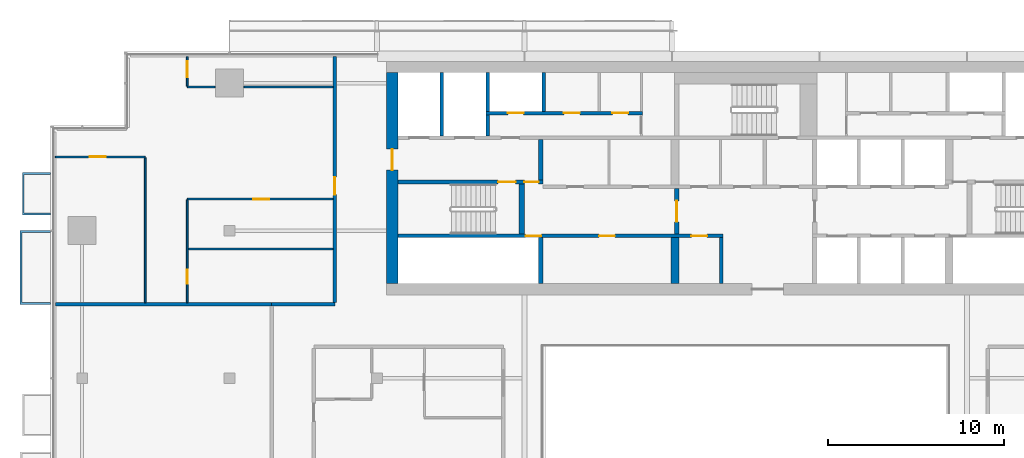
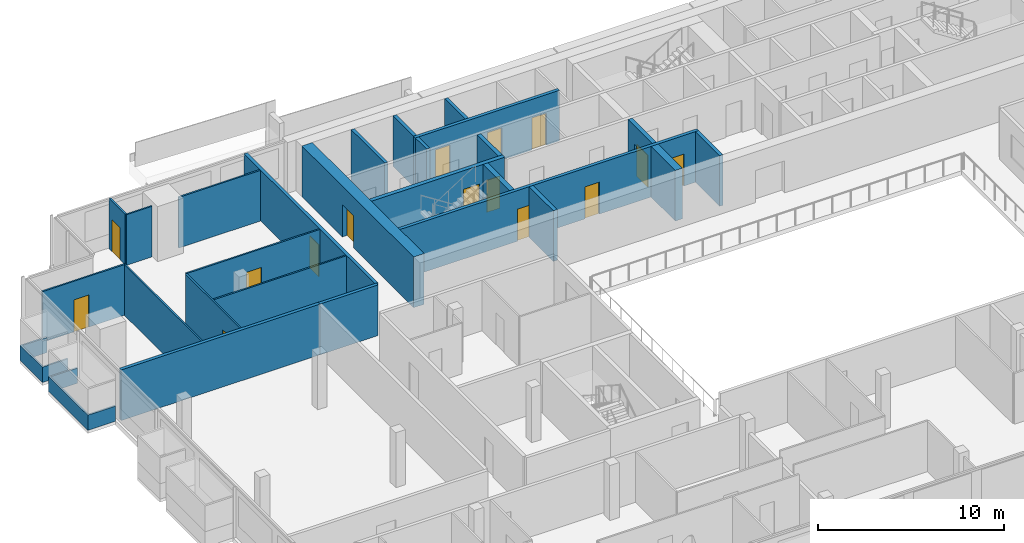
# One storey, part 20 of 27: 27 walls, 15 doors, 15 openings.
"""IFC4 building model written with IfcOpenShell, lengths in metres."""

from ifc_helpers import new_model, si_unit, direction, frame, frame_2d, origin, place, context, subcontext, project, spatial, polyline, rectangle, outline, extrude, material, layer, layer_set, type_object, element, fill, save


model = new_model("IFC4")

# Units and contexts
model_context = context("Model", 3, precision=1e-05, world=origin(), true_north=direction((0.0, 1.0)))
body_context = subcontext(model_context, "Body", "Model", "MODEL_VIEW")
ifc_project = project(units=[si_unit("LENGTHUNIT", "METRE"), si_unit("AREAUNIT", "SQUARE_METRE"), si_unit("VOLUMEUNIT", "CUBIC_METRE"), si_unit("PLANEANGLEUNIT", "RADIAN"), si_unit("MASSUNIT", "GRAM", prefix="KILO")], contexts=[model_context])

# Site, building, storey
site_placement = place(None, origin())
site = spatial("IfcSite", under=ifc_project, at=site_placement, CompositionType="ELEMENT")
building_placement = place(site_placement, origin())
building = spatial("IfcBuilding", under=site, at=building_placement, Name="Saffron Gate Tower", CompositionType="ELEMENT")
storey_placement = place(building_placement, frame((0.0, 0.0, 212.699951171875)))
storey = spatial("IfcBuildingStorey", under=building, at=storey_placement, Name="L51", CompositionType="ELEMENT", Elevation=212.699951171875)

# Walls
ifc_material_1 = material(Name="Gypsum board partition on steel studs", Category="steel")
ifc_layer_1 = layer(ifc_material_1, 0.199951171875)
ifc_layer_set_1 = layer_set([ifc_layer_1], Name="CW10 Core partition 200")
wall_type_1 = type_object("IfcWallType", Name="CW10 Core partition 200", PredefinedType="PARTITIONING", material=ifc_layer_set_1)
wall_1_placement = place(storey_placement, frame((86.199951171875, 62.39990234375, 0.0), z_axis=(0.0, 0.0, 1.0), x_axis=(0.0, 1.0, 0.0)))
element("IfcWall", 1, at=wall_1_placement, inside=storey, type_object=wall_type_1, Name="Wall CW10-L51-7", PredefinedType="PARTITIONING", context=body_context, shape_type="SweptSolid", body=[
    extrude(rectangle(XDim=2.60009765625, YDim=0.199951171875, at=frame_2d((1.300048828125, 0.0))), origin(), (0.0, 0.0, 1.0), 3.320068359375),
])
ifc_material_2 = material(Name="Concrete C60", Category="concrete")
ifc_layer_2 = layer(ifc_material_2, 0.25)
ifc_layer_set_2 = layer_set([ifc_layer_2], Name="CW14 RC core wall 250 C60")
wall_type_2 = type_object("IfcWallType", Name="CW14 RC core wall 250 C60", PredefinedType="SOLIDWALL", material=ifc_layer_set_2)
wall_2_placement = place(storey_placement, frame((75.925048828125, 62.39990234375, 0.0), z_axis=(0.0, 0.0, 1.0), x_axis=(0.0, 1.0, 0.0)))
element("IfcWall", 2, at=wall_2_placement, inside=storey, type_object=wall_type_2, Name="Wall CW14-L51-5", PredefinedType="SOLIDWALL", context=body_context, shape_type="SweptSolid", body=[
    extrude(rectangle(XDim=2.60009765625, YDim=0.25, at=frame_2d((1.300048828125, 0.0))), origin(), (0.0, 0.0, 1.0), 3.320068359375),
])

# Wall, opening, door
wall_3_placement = place(storey_placement, frame((83.675048828125, 65.199951171875, 0.0), z_axis=(0.0, 0.0, 1.0), x_axis=(0.0, 1.0, 0.0)))
wall_3 = element("IfcWall", 3, at=wall_3_placement, inside=storey, type_object=wall_type_2, Name="Wall CW14-L51-15", PredefinedType="SOLIDWALL", context=body_context, shape_type="SweptSolid", body=[
    extrude(rectangle(XDim=2.60009765625, YDim=0.25, at=frame_2d((1.300048828125, 0.0))), origin(), (0.0, 0.0, 1.0), 3.320068359375),
])
opening_1_placement = place(wall_3_placement, frame((0.699951171875, 0.0, 0.0)))
opening_1 = element("IfcOpeningElement", 4, at=opening_1_placement, cuts=wall_3, Name="Opening CR-07", PredefinedType="OPENING", context=body_context, shape_type="SweptSolid", body=[
    extrude(rectangle(XDim=1.199951171875, YDim=2.10009765625, at=frame_2d((0.60009765625, 1.050048828125))), frame((0.0, 0.135009765625, 0.0), z_axis=(0.0, -1.0, 0.0), x_axis=(1.0, 0.0, 0.0)), (0.0, 0.0, 1.0), 0.27001953125),
])
ifc_material_3 = material(Name="Steel fire door set", Category="steel")
door_type_1 = type_object("IfcDoorType", Name="CD3 Lobby door 1200x2100 EI 120", OperationType="NOTDEFINED", PredefinedType="DOOR", material=ifc_material_3)
door_1_placement = place(opening_1_placement, origin())
door_1 = element("IfcDoor", 5, at=door_1_placement, inside=storey, type_object=door_type_1, Name="DOOR CR-07", OperationType="SINGLE_SWING_RIGHT", OverallHeight=2.10009765625, OverallWidth=1.199951171875, PredefinedType="DOOR", context=body_context, shape_type="SweptSolid", body=[
    extrude(rectangle(XDim=1.199951171875, YDim=2.10009765625, at=frame_2d((0.60009765625, 1.050048828125))), frame((0.0, 0.02490234375, 0.0), z_axis=(0.0, -1.0, 0.0), x_axis=(1.0, 0.0, 0.0)), (0.0, 0.0, 1.0), 0.050048828125),
])
fill(opening_1, door_1)

# Wall, openings, doors
wall_4_placement = place(storey_placement, frame((67.800048828125, 68.175048828125, 0.0), z_axis=(0.0, 0.0, 1.0), x_axis=(1.0, 0.0, 0.0)))
wall_4 = element("IfcWall", 6, at=wall_4_placement, inside=storey, type_object=wall_type_2, Name="Wall CW14-L51-27", PredefinedType="SOLIDWALL", context=body_context, shape_type="SweptSolid", body=[
    extrude(rectangle(XDim=8.25, YDim=0.25, at=frame_2d((4.125, 0.0))), origin(), (0.0, 0.0, 1.0), 3.320068359375),
])
opening_2_placement = place(wall_4_placement, frame((5.699951171875, 0.0, 0.0)))
opening_2 = element("IfcOpeningElement", 7, at=opening_2_placement, cuts=wall_4, Name="Opening CR-15", PredefinedType="OPENING", context=body_context, shape_type="SweptSolid", body=[
    extrude(rectangle(XDim=1.0, YDim=2.10009765625, at=frame_2d((0.5, 1.050048828125))), frame((0.0, 0.135009765625, 0.0), z_axis=(0.0, -1.0, 0.0), x_axis=(1.0, 0.0, 0.0)), (0.0, 0.0, 1.0), 0.27001953125),
])
opening_3_placement = place(wall_4_placement, frame((7.199951171875, 0.0, 0.0)))
opening_3 = element("IfcOpeningElement", 8, at=opening_3_placement, cuts=wall_4, Name="Opening CR-06", PredefinedType="OPENING", context=body_context, shape_type="SweptSolid", body=[
    extrude(rectangle(XDim=0.800048828125, YDim=2.10009765625, at=frame_2d((0.39990234375, 1.050048828125))), frame((0.0, 0.135009765625, 0.0), z_axis=(0.0, -1.0, 0.0), x_axis=(1.0, 0.0, 0.0)), (0.0, 0.0, 1.0), 0.27001953125),
])
door_type_2 = type_object("IfcDoorType", Name="CD5 Stair door 1000x2100 EI 120", OperationType="NOTDEFINED", PredefinedType="DOOR", material=ifc_material_3)
door_2_placement = place(opening_2_placement, origin())
door_2 = element("IfcDoor", 9, at=door_2_placement, inside=storey, type_object=door_type_2, Name="DOOR CR-15", OperationType="SINGLE_SWING_RIGHT", OverallHeight=2.10009765625, OverallWidth=1.0, PredefinedType="DOOR", context=body_context, shape_type="SweptSolid", body=[
    extrude(rectangle(XDim=1.0, YDim=2.10009765625, at=frame_2d((0.5, 1.050048828125))), frame((0.0, 0.02490234375, 0.0), z_axis=(0.0, -1.0, 0.0), x_axis=(1.0, 0.0, 0.0)), (0.0, 0.0, 1.0), 0.050048828125),
])
fill(opening_2, door_2)
door_type_3 = type_object("IfcDoorType", Name="CD6 Lobby door 800x2100 EI 120", OperationType="NOTDEFINED", PredefinedType="DOOR", material=ifc_material_3)
door_3_placement = place(opening_3_placement, origin())
door_3 = element("IfcDoor", 10, at=door_3_placement, inside=storey, type_object=door_type_3, Name="DOOR CR-06", OperationType="SINGLE_SWING_LEFT", OverallHeight=2.10009765625, OverallWidth=0.800048828125, PredefinedType="DOOR", context=body_context, shape_type="SweptSolid", body=[
    extrude(rectangle(XDim=0.800048828125, YDim=2.10009765625, at=frame_2d((0.39990234375, 1.050048828125))), frame((0.0, 0.02490234375, 0.0), z_axis=(0.0, -1.0, 0.0), x_axis=(1.0, 0.0, 0.0)), (0.0, 0.0, 1.0), 0.050048828125),
])
fill(opening_3, door_3)

# Wall
wall_5_placement = place(storey_placement, frame((75.925048828125, 68.300048828125, 0.0), z_axis=(0.0, 0.0, 1.0), x_axis=(0.0, 1.0, 0.0)))
element("IfcWall", 11, at=wall_5_placement, inside=storey, type_object=wall_type_2, Name="Wall CW14-L51-29", PredefinedType="SOLIDWALL", context=body_context, shape_type="SweptSolid", body=[
    extrude(rectangle(XDim=2.300048828125, YDim=0.25, at=frame_2d((1.14990234375, 0.0))), origin(), (0.0, 0.0, 1.0), 3.320068359375),
])

# Wall, openings, doors
ifc_layer_3 = layer(ifc_material_2, 0.199951171875)
ifc_layer_set_3 = layer_set([ifc_layer_3], Name="CW15 RC core wall 200 C60")
wall_type_3 = type_object("IfcWallType", Name="CW15 RC core wall 200 C60", PredefinedType="SOLIDWALL", material=ifc_layer_set_3)
wall_6_placement = place(storey_placement, frame((67.800048828125, 65.10009765625, 0.0), z_axis=(0.0, 0.0, 1.0), x_axis=(1.0, 0.0, 0.0)))
wall_6 = element("IfcWall", 12, at=wall_6_placement, inside=storey, type_object=wall_type_3, Name="Wall CW15-L51-12", PredefinedType="SOLIDWALL", context=body_context, shape_type="SweptSolid", body=[
    extrude(rectangle(XDim=18.5, YDim=0.199951171875, at=frame_2d((9.25, 0.0))), origin(), (0.0, 0.0, 1.0), 3.320068359375),
])
opening_4_placement = place(wall_6_placement, frame((7.27001953125, 0.0, 0.0)))
opening_4 = element("IfcOpeningElement", 13, at=opening_4_placement, cuts=wall_6, Name="Opening CR-49", PredefinedType="OPENING", context=body_context, shape_type="SweptSolid", body=[
    extrude(rectangle(XDim=0.89990234375, YDim=2.10009765625, at=frame_2d((0.449951171875, 1.050048828125))), frame((0.0, 0.10986328125, 0.0), z_axis=(0.0, -1.0, 0.0), x_axis=(1.0, 0.0, 0.0)), (0.0, 0.0, 1.0), 0.219970703125),
])
opening_5_placement = place(wall_6_placement, frame((11.449951171875, 0.0, 0.0)))
opening_5 = element("IfcOpeningElement", 14, at=opening_5_placement, cuts=wall_6, Name="Opening CR-64", PredefinedType="OPENING", context=body_context, shape_type="SweptSolid", body=[
    extrude(rectangle(XDim=0.89990234375, YDim=2.10009765625, at=frame_2d((0.449951171875, 1.050048828125))), frame((0.0, 0.10986328125, 0.0), z_axis=(0.0, -1.0, 0.0), x_axis=(1.0, 0.0, 0.0)), (0.0, 0.0, 1.0), 0.219970703125),
])
opening_6_placement = place(wall_6_placement, frame((16.699951171875, 0.0, 0.0)))
opening_6 = element("IfcOpeningElement", 15, at=opening_6_placement, cuts=wall_6, Name="Opening CR-69", PredefinedType="OPENING", context=body_context, shape_type="SweptSolid", body=[
    extrude(rectangle(XDim=0.89990234375, YDim=2.10009765625, at=frame_2d((0.449951171875, 1.050048828125))), frame((0.0, 0.10986328125, 0.0), z_axis=(0.0, -1.0, 0.0), x_axis=(1.0, 0.0, 0.0)), (0.0, 0.0, 1.0), 0.219970703125),
])
door_type_4 = type_object("IfcDoorType", Name="CD2 Riser door 900x2100 EI 60", OperationType="NOTDEFINED", PredefinedType="DOOR", material=ifc_material_3)
door_4_placement = place(opening_4_placement, origin())
door_4 = element("IfcDoor", 16, at=door_4_placement, inside=storey, type_object=door_type_4, Name="DOOR CR-49", OperationType="SINGLE_SWING_LEFT", OverallHeight=2.10009765625, OverallWidth=0.89990234375, PredefinedType="DOOR", context=body_context, shape_type="SweptSolid", body=[
    extrude(rectangle(XDim=0.89990234375, YDim=2.10009765625, at=frame_2d((0.449951171875, 1.050048828125))), frame((0.0, 0.02490234375, 0.0), z_axis=(0.0, -1.0, 0.0), x_axis=(1.0, 0.0, 0.0)), (0.0, 0.0, 1.0), 0.050048828125),
])
fill(opening_4, door_4)
door_type_5 = type_object("IfcDoorType", Name="CD9 Room door 900x2100 EI 60", OperationType="NOTDEFINED", PredefinedType="DOOR", material=ifc_material_3)
door_5_placement = place(opening_5_placement, origin())
door_5 = element("IfcDoor", 17, at=door_5_placement, inside=storey, type_object=door_type_5, Name="DOOR CR-64", OperationType="SINGLE_SWING_RIGHT", OverallHeight=2.10009765625, OverallWidth=0.89990234375, PredefinedType="DOOR", context=body_context, shape_type="SweptSolid", body=[
    extrude(rectangle(XDim=0.89990234375, YDim=2.10009765625, at=frame_2d((0.449951171875, 1.050048828125))), frame((0.0, 0.02490234375, 0.0), z_axis=(0.0, -1.0, 0.0), x_axis=(1.0, 0.0, 0.0)), (0.0, 0.0, 1.0), 0.050048828125),
])
fill(opening_5, door_5)
door_6_placement = place(opening_6_placement, origin())
door_6 = element("IfcDoor", 18, at=door_6_placement, inside=storey, type_object=door_type_5, Name="DOOR CR-69", OperationType="SINGLE_SWING_RIGHT", OverallHeight=2.10009765625, OverallWidth=0.89990234375, PredefinedType="DOOR", context=body_context, shape_type="SweptSolid", body=[
    extrude(rectangle(XDim=0.89990234375, YDim=2.10009765625, at=frame_2d((0.449951171875, 1.050048828125))), frame((0.0, 0.02490234375, 0.0), z_axis=(0.0, -1.0, 0.0), x_axis=(1.0, 0.0, 0.0)), (0.0, 0.0, 1.0), 0.050048828125),
])
fill(opening_6, door_6)

# Walls
wall_7_placement = place(storey_placement, frame((70.300048828125, 70.800048828125, 0.0), z_axis=(0.0, 0.0, 1.0), x_axis=(0.0, 1.0, 0.0)))
element("IfcWall", 19, at=wall_7_placement, inside=storey, type_object=wall_type_3, Name="Wall CW15-L51-32", PredefinedType="SOLIDWALL", context=body_context, shape_type="SweptSolid", body=[
    extrude(rectangle(XDim=3.599853515625, YDim=0.199951171875, at=frame_2d((1.7998046875, 0.0))), origin(), (0.0, 0.0, 1.0), 3.320068359375),
])
wall_8_placement = place(storey_placement, frame((72.89990234375, 70.800048828125, 0.0), z_axis=(0.0, 0.0, 1.0), x_axis=(0.0, 1.0, 0.0)))
element("IfcWall", 20, at=wall_8_placement, inside=storey, type_object=wall_type_3, Name="Wall CW15-L51-33", PredefinedType="SOLIDWALL", context=body_context, shape_type="SweptSolid", body=[
    extrude(rectangle(XDim=1.199951171875, YDim=0.199951171875, at=frame_2d((0.60009765625, 0.0))), origin(), (0.0, 0.0, 1.0), 3.320068359375),
])

# Wall, openings, doors
wall_9_placement = place(storey_placement, frame((72.800048828125, 72.10009765625, 0.0), z_axis=(0.0, 0.0, 1.0), x_axis=(1.0, 0.0, 0.0)))
wall_9 = element("IfcWall", 21, at=wall_9_placement, inside=storey, type_object=wall_type_3, Name="Wall CW15-L51-40", PredefinedType="SOLIDWALL", context=body_context, shape_type="SweptSolid", body=[
    extrude(rectangle(XDim=8.919921875, YDim=0.199951171875, at=frame_2d((4.4599609375, 0.0))), origin(), (0.0, 0.0, 1.0), 3.320068359375),
])
opening_7_placement = place(wall_9_placement, frame((1.25, 0.0, 0.0)))
opening_7 = element("IfcOpeningElement", 22, at=opening_7_placement, cuts=wall_9, Name="Opening CR-71", PredefinedType="OPENING", context=body_context, shape_type="SweptSolid", body=[
    extrude(rectangle(XDim=0.89990234375, YDim=2.10009765625, at=frame_2d((0.449951171875, 1.050048828125))), frame((0.0, 0.10986328125, 0.0), z_axis=(0.0, -1.0, 0.0), x_axis=(1.0, 0.0, 0.0)), (0.0, 0.0, 1.0), 0.219970703125),
])
opening_8_placement = place(wall_9_placement, frame((4.449951171875, 0.0, 0.0)))
opening_8 = element("IfcOpeningElement", 23, at=opening_8_placement, cuts=wall_9, Name="Opening CR-55", PredefinedType="OPENING", context=body_context, shape_type="SweptSolid", body=[
    extrude(rectangle(XDim=0.89990234375, YDim=2.10009765625, at=frame_2d((0.449951171875, 1.050048828125))), frame((0.0, 0.10986328125, 0.0), z_axis=(0.0, -1.0, 0.0), x_axis=(1.0, 0.0, 0.0)), (0.0, 0.0, 1.0), 0.219970703125),
])
opening_9_placement = place(wall_9_placement, frame((7.2099609375, 0.0, 0.0)))
opening_9 = element("IfcOpeningElement", 24, at=opening_9_placement, cuts=wall_9, Name="Opening CR-58", PredefinedType="OPENING", context=body_context, shape_type="SweptSolid", body=[
    extrude(rectangle(XDim=0.89990234375, YDim=2.10009765625, at=frame_2d((0.449951171875, 1.050048828125))), frame((0.0, 0.10986328125, 0.0), z_axis=(0.0, -1.0, 0.0), x_axis=(1.0, 0.0, 0.0)), (0.0, 0.0, 1.0), 0.219970703125),
])
door_7_placement = place(opening_7_placement, origin())
door_7 = element("IfcDoor", 25, at=door_7_placement, inside=storey, type_object=door_type_4, Name="DOOR CR-71", OperationType="SINGLE_SWING_LEFT", OverallHeight=2.10009765625, OverallWidth=0.89990234375, PredefinedType="DOOR", context=body_context, shape_type="SweptSolid", body=[
    extrude(rectangle(XDim=0.89990234375, YDim=2.10009765625, at=frame_2d((0.449951171875, 1.050048828125))), frame((0.0, 0.02490234375, 0.0), z_axis=(0.0, -1.0, 0.0), x_axis=(1.0, 0.0, 0.0)), (0.0, 0.0, 1.0), 0.050048828125),
])
fill(opening_7, door_7)
door_8_placement = place(opening_8_placement, origin())
door_8 = element("IfcDoor", 26, at=door_8_placement, inside=storey, type_object=door_type_5, Name="DOOR CR-55", OperationType="SINGLE_SWING_LEFT", OverallHeight=2.10009765625, OverallWidth=0.89990234375, PredefinedType="DOOR", context=body_context, shape_type="SweptSolid", body=[
    extrude(rectangle(XDim=0.89990234375, YDim=2.10009765625, at=frame_2d((0.449951171875, 1.050048828125))), frame((0.0, 0.02490234375, 0.0), z_axis=(0.0, -1.0, 0.0), x_axis=(1.0, 0.0, 0.0)), (0.0, 0.0, 1.0), 0.050048828125),
])
fill(opening_8, door_8)
door_9_placement = place(opening_9_placement, origin())
door_9 = element("IfcDoor", 27, at=door_9_placement, inside=storey, type_object=door_type_5, Name="DOOR CR-58", OperationType="SINGLE_SWING_LEFT", OverallHeight=2.10009765625, OverallWidth=0.89990234375, PredefinedType="DOOR", context=body_context, shape_type="SweptSolid", body=[
    extrude(rectangle(XDim=0.89990234375, YDim=2.10009765625, at=frame_2d((0.449951171875, 1.050048828125))), frame((0.0, 0.02490234375, 0.0), z_axis=(0.0, -1.0, 0.0), x_axis=(1.0, 0.0, 0.0)), (0.0, 0.0, 1.0), 0.050048828125),
])
fill(opening_9, door_9)

# Walls
for number, where, z_axis, x_axis, name in (
    (28, (72.89990234375, 72.199951171875, 0.0), (0.0, 0.0, 1.0), (0.0, 1.0, 0.0), "Wall CW15-L51-42"),
    (29, (76.10009765625, 72.199951171875, 0.0), (0.0, 0.0, 1.0), (0.0, 1.0, 0.0), "Wall CW15-L51-43"),
):
    element("IfcWall", number, at=place(storey_placement, frame(where, z_axis=z_axis, x_axis=x_axis)), inside=storey, type_object=wall_type_3, Name=name, PredefinedType="SOLIDWALL", context=body_context, shape_type="SweptSolid", body=[
        extrude(rectangle(XDim=2.199951171875, YDim=0.199951171875, at=frame_2d((1.10009765625, 0.0))), origin(), (0.0, 0.0, 1.0), 3.320068359375),
    ])
ifc_layer_4 = layer(ifc_material_2, 0.449951171875)
ifc_layer_set_4 = layer_set([ifc_layer_4], Name="CW16 RC core wall 450 C60")
wall_type_4 = type_object("IfcWallType", Name="CW16 RC core wall 450 C60", PredefinedType="SOLIDWALL", material=ifc_layer_set_4)
wall_10_placement = place(storey_placement, frame((83.574951171875, 62.39990234375, 0.0), z_axis=(0.0, 0.0, 1.0), x_axis=(0.0, 1.0, 0.0)))
element("IfcWall", 30, at=wall_10_placement, inside=storey, type_object=wall_type_4, Name="Wall CW16-L51-6", PredefinedType="SOLIDWALL", context=body_context, shape_type="SweptSolid", body=[
    extrude(rectangle(XDim=2.60009765625, YDim=0.449951171875, at=frame_2d((1.300048828125, 0.0))), origin(), (0.0, 0.0, 1.0), 3.320068359375),
])
ifc_layer_5 = layer(ifc_material_2, 0.300048828125)
ifc_layer_set_5 = layer_set([ifc_layer_5], Name="CW17 RC core wall 300 C60")
wall_type_5 = type_object("IfcWallType", Name="CW17 RC core wall 300 C60", PredefinedType="SOLIDWALL", material=ifc_layer_set_5)
wall_11_placement = place(storey_placement, frame((74.85009765625, 65.199951171875, 0.0), z_axis=(0.0, 0.0, 1.0), x_axis=(0.0, 1.0, 0.0)))
element("IfcWall", 31, at=wall_11_placement, inside=storey, type_object=wall_type_5, Name="Wall CW17-L51-14", PredefinedType="SOLIDWALL", context=body_context, shape_type="SweptSolid", body=[
    extrude(rectangle(XDim=2.85009765625, YDim=0.300048828125, at=frame_2d((1.425048828125, 0.0))), origin(), (0.0, 0.0, 1.0), 3.320068359375),
])

# Wall, opening, door
ifc_layer_6 = layer(ifc_material_2, 0.64990234375)
ifc_layer_set_6 = layer_set([ifc_layer_6], Name="CW20 RC core wall 650 C60")
wall_type_6 = type_object("IfcWallType", Name="CW20 RC core wall 650 C60", PredefinedType="SOLIDWALL", material=ifc_layer_set_6)
wall_12_placement = place(storey_placement, frame((67.47509765625, 62.39990234375, 0.0), z_axis=(0.0, 0.0, 1.0), x_axis=(0.0, 1.0, 0.0)))
wall_12 = element("IfcWall", 32, at=wall_12_placement, inside=storey, type_object=wall_type_6, Name="Wall CW20-L51-3", PredefinedType="SOLIDWALL", context=body_context, shape_type="SweptSolid", body=[
    extrude(rectangle(XDim=12.0, YDim=0.64990234375, at=frame_2d((6.0, 0.0))), origin(), (0.0, 0.0, 1.0), 3.320068359375),
])
opening_10_placement = place(wall_12_placement, frame((6.449951171875, 0.0, 0.0)))
opening_10 = element("IfcOpeningElement", 33, at=opening_10_placement, cuts=wall_12, Name="Opening CR-10", PredefinedType="OPENING", context=body_context, shape_type="SweptSolid", body=[
    extrude(rectangle(XDim=1.199951171875, YDim=2.10009765625, at=frame_2d((0.60009765625, 1.050048828125))), frame((0.0, 0.3349609375, 0.0), z_axis=(0.0, -1.0, 0.0), x_axis=(1.0, 0.0, 0.0)), (0.0, 0.0, 1.0), 0.669921875),
])
door_type_6 = type_object("IfcDoorType", Name="CD7 Core entrance door 1200x2100 EI 120", OperationType="NOTDEFINED", PredefinedType="DOOR", material=ifc_material_3)
door_10_placement = place(opening_10_placement, origin())
door_10 = element("IfcDoor", 34, at=door_10_placement, inside=storey, type_object=door_type_6, Name="DOOR CR-10", OperationType="SINGLE_SWING_LEFT", OverallHeight=2.10009765625, OverallWidth=1.199951171875, PredefinedType="DOOR", context=body_context, shape_type="SweptSolid", body=[
    extrude(rectangle(XDim=1.199951171875, YDim=2.10009765625, at=frame_2d((0.60009765625, 1.050048828125))), frame((0.0, 0.02490234375, 0.0), z_axis=(0.0, -1.0, 0.0), x_axis=(1.0, 0.0, 0.0)), (0.0, 0.0, 1.0), 0.050048828125),
])
fill(opening_10, door_10)

# Wall
ifc_material_4 = material(Name="Plasterboard on steel studs", Category="steel")
ifc_layer_7 = layer(ifc_material_4, 0.10009765625)
ifc_layer_set_7 = layer_set([ifc_layer_7], Name="PW1 Partition 100")
wall_type_7 = type_object("IfcWallType", Name="PW1 Partition 100", PredefinedType="PARTITIONING", material=ifc_layer_set_7)
wall_13_placement = place(storey_placement, frame((55.85009765625, 64.354736328125, 0.0), z_axis=(0.0, 0.0, 1.0), x_axis=(1.0, 0.0, 0.0)))
element("IfcWall", 35, at=wall_13_placement, inside=storey, type_object=wall_type_7, Name="Partition D1-33", PredefinedType="PARTITIONING", context=body_context, shape_type="SweptSolid", body=[
    extrude(rectangle(XDim=8.25, YDim=0.10009765625, at=frame_2d((4.125, 0.0))), origin(), (0.0, 0.0, 1.0), 3.320068359375),
])

# Wall, opening, door
wall_14_placement = place(storey_placement, frame((64.10009765625, 67.199951171875, 0.0), z_axis=(0.0, 0.0, 1.0), x_axis=(-1.0, 0.0, 0.0)))
wall_14 = element("IfcWall", 36, at=wall_14_placement, inside=storey, type_object=wall_type_7, Name="Partition D1-36", PredefinedType="PARTITIONING", context=body_context, shape_type="SweptSolid", body=[
    extrude(rectangle(XDim=8.300048828125, YDim=0.10009765625, at=frame_2d((4.14990234375, 0.0))), origin(), (0.0, 0.0, 1.0), 3.320068359375),
])
opening_11_placement = place(wall_14_placement, frame((3.64990234375, 0.0, 0.0)))
opening_11 = element("IfcOpeningElement", 37, at=opening_11_placement, cuts=wall_14, Name="Opening D1-26", PredefinedType="OPENING", context=body_context, shape_type="SweptSolid", body=[
    extrude(rectangle(XDim=0.89990234375, YDim=2.10009765625, at=frame_2d((0.449951171875, 1.050048828125))), frame((0.0, 0.06005859375, 0.0), z_axis=(0.0, -1.0, 0.0), x_axis=(1.0, 0.0, 0.0)), (0.0, 0.0, 1.0), 0.1201171875),
])
ifc_material_5 = material(Name="Timber door set", Category="wood")
door_type_7 = type_object("IfcDoorType", Name="RD1 Room door 900x2100", OperationType="NOTDEFINED", PredefinedType="DOOR", material=ifc_material_5)
door_11_placement = place(opening_11_placement, origin())
door_11 = element("IfcDoor", 38, at=door_11_placement, inside=storey, type_object=door_type_7, Name="Door D1-26", OperationType="SINGLE_SWING_LEFT", OverallHeight=2.10009765625, OverallWidth=0.89990234375, PredefinedType="DOOR", context=body_context, shape_type="SweptSolid", body=[
    extrude(rectangle(XDim=0.89990234375, YDim=2.10009765625, at=frame_2d((0.449951171875, 1.050048828125))), frame((0.0, 0.02490234375, 0.0), z_axis=(0.0, -1.0, 0.0), x_axis=(1.0, 0.0, 0.0)), (0.0, 0.0, 1.0), 0.050048828125),
])
fill(opening_11, door_11)

wall_15_placement = place(storey_placement, frame((53.39990234375, 69.60009765625, 0.0), z_axis=(0.0, 0.0, 1.0), x_axis=(-1.0, 0.0, 0.0)))
wall_15 = element("IfcWall", 39, at=wall_15_placement, inside=storey, type_object=wall_type_7, Name="Partition D1-38", PredefinedType="PARTITIONING", context=body_context, shape_type="SweptSolid", body=[
    extrude(rectangle(XDim=5.119873046875, YDim=0.10009765625, at=frame_2d((2.56005859375, 0.0))), origin(), (0.0, 0.0, 1.0), 3.320068359375),
])
opening_12_placement = place(wall_15_placement, frame((2.25, 0.0, 0.0)))
opening_12 = element("IfcOpeningElement", 40, at=opening_12_placement, cuts=wall_15, Name="Opening D1-24", PredefinedType="OPENING", context=body_context, shape_type="SweptSolid", body=[
    extrude(rectangle(XDim=0.89990234375, YDim=2.10009765625, at=frame_2d((0.449951171875, 1.050048828125))), frame((0.0, 0.06005859375, 0.0), z_axis=(0.0, -1.0, 0.0), x_axis=(1.0, 0.0, 0.0)), (0.0, 0.0, 1.0), 0.1201171875),
])
door_12_placement = place(opening_12_placement, origin())
door_12 = element("IfcDoor", 41, at=door_12_placement, inside=storey, type_object=door_type_7, Name="Door D1-24", OperationType="SINGLE_SWING_RIGHT", OverallHeight=2.10009765625, OverallWidth=0.89990234375, PredefinedType="DOOR", context=body_context, shape_type="SweptSolid", body=[
    extrude(rectangle(XDim=0.89990234375, YDim=2.10009765625, at=frame_2d((0.449951171875, 1.050048828125))), frame((0.0, 0.02490234375, 0.0), z_axis=(0.0, -1.0, 0.0), x_axis=(1.0, 0.0, 0.0)), (0.0, 0.0, 1.0), 0.050048828125),
])
fill(opening_12, door_12)

# Walls
wall_16_placement = place(storey_placement, frame((55.800048828125, 73.5810546875, 0.0), z_axis=(0.0, 0.0, 1.0), x_axis=(1.0, 0.0, 0.0)))
element("IfcWall", 42, at=wall_16_placement, inside=storey, type_object=wall_type_7, Name="Partition D1-41", PredefinedType="PARTITIONING", context=body_context, shape_type="SweptSolid", body=[
    extrude(rectangle(XDim=1.579833984375, YDim=0.10009765625, at=frame_2d((0.7900390625, 0.0))), origin(), (0.0, 0.0, 1.0), 3.320068359375),
])
wall_17_placement = place(storey_placement, frame((59.02001953125, 73.5810546875, 0.0), z_axis=(0.0, 0.0, 1.0), x_axis=(1.0, 0.0, 0.0)))
element("IfcWall", 43, at=wall_17_placement, inside=storey, type_object=wall_type_7, Name="Partition D1-42", PredefinedType="PARTITIONING", context=body_context, shape_type="SweptSolid", body=[
    extrude(rectangle(XDim=5.080078125, YDim=0.10009765625, at=frame_2d((2.5400390625, 0.0))), origin(), (0.0, 0.0, 1.0), 3.320068359375),
])
wall_18_placement = place(storey_placement, frame((53.39990234375, 69.550048828125, 0.0), z_axis=(0.0, 0.0, 1.0), x_axis=(0.0, -1.0, 0.0)))
element("IfcWall", 44, at=wall_18_placement, inside=storey, type_object=wall_type_7, Name="Partition D1-46", PredefinedType="PARTITIONING", context=body_context, shape_type="SweptSolid", body=[
    extrude(rectangle(XDim=8.25, YDim=0.10009765625, at=frame_2d((4.125, 0.0))), origin(), (0.0, 0.0, 1.0), 3.320068359375),
])

# Wall, opening, door
wall_19_placement = place(storey_placement, frame((55.800048828125, 67.14990234375, 0.0), z_axis=(0.0, 0.0, 1.0), x_axis=(0.0, -1.0, 0.0)))
wall_19 = element("IfcWall", 45, at=wall_19_placement, inside=storey, type_object=wall_type_7, Name="Partition D1-48", PredefinedType="PARTITIONING", context=body_context, shape_type="SweptSolid", body=[
    extrude(rectangle(XDim=5.849853515625, YDim=0.10009765625, at=frame_2d((2.9248046875, 0.0))), origin(), (0.0, 0.0, 1.0), 3.320068359375),
])
opening_13_placement = place(wall_19_placement, frame((3.97265625, 0.0, 0.0)))
opening_13 = element("IfcOpeningElement", 46, at=opening_13_placement, cuts=wall_19, Name="Opening D1-38", PredefinedType="OPENING", context=body_context, shape_type="SweptSolid", body=[
    extrude(rectangle(XDim=0.800048828125, YDim=2.10009765625, at=frame_2d((0.39990234375, 1.050048828125))), frame((0.0, 0.06005859375, 0.0), z_axis=(0.0, -1.0, 0.0), x_axis=(1.0, 0.0, 0.0)), (0.0, 0.0, 1.0), 0.1201171875),
])
door_type_8 = type_object("IfcDoorType", Name="RD2 Bathroom door 800x2100", OperationType="NOTDEFINED", PredefinedType="DOOR", material=ifc_material_5)
door_13_placement = place(opening_13_placement, origin())
door_13 = element("IfcDoor", 47, at=door_13_placement, inside=storey, type_object=door_type_8, Name="Door D1-38", OperationType="SINGLE_SWING_RIGHT", OverallHeight=2.10009765625, OverallWidth=0.800048828125, PredefinedType="DOOR", context=body_context, shape_type="SweptSolid", body=[
    extrude(rectangle(XDim=0.800048828125, YDim=2.10009765625, at=frame_2d((0.39990234375, 1.050048828125))), frame((0.0, 0.02490234375, 0.0), z_axis=(0.0, -1.0, 0.0), x_axis=(1.0, 0.0, 0.0)), (0.0, 0.0, 1.0), 0.050048828125),
])
fill(opening_13, door_13)

wall_20_placement = place(storey_placement, frame((55.800048828125, 75.320068359375, 0.0), z_axis=(0.0, 0.0, 1.0), x_axis=(0.0, -1.0, 0.0)))
wall_20 = element("IfcWall", 48, at=wall_20_placement, inside=storey, type_object=wall_type_7, Name="Partition D1-49", PredefinedType="PARTITIONING", context=body_context, shape_type="SweptSolid", body=[
    extrude(rectangle(XDim=1.68896484375, YDim=0.10009765625, at=frame_2d((0.844482421875, 0.0))), origin(), (0.0, 0.0, 1.0), 3.320068359375),
])
opening_14_placement = place(wall_20_placement, frame((0.279541015625, 0.0, 0.0)))
opening_14 = element("IfcOpeningElement", 49, at=opening_14_placement, cuts=wall_20, Name="Opening D1-25", PredefinedType="OPENING", context=body_context, shape_type="SweptSolid", body=[
    extrude(rectangle(XDim=0.89990234375, YDim=2.10009765625, at=frame_2d((0.449951171875, 1.050048828125))), frame((0.0, 0.06005859375, 0.0), z_axis=(0.0, -1.0, 0.0), x_axis=(1.0, 0.0, 0.0)), (0.0, 0.0, 1.0), 0.1201171875),
])
door_14_placement = place(opening_14_placement, origin())
door_14 = element("IfcDoor", 50, at=door_14_placement, inside=storey, type_object=door_type_7, Name="Door D1-25", OperationType="SINGLE_SWING_LEFT", OverallHeight=2.10009765625, OverallWidth=0.89990234375, PredefinedType="DOOR", context=body_context, shape_type="SweptSolid", body=[
    extrude(rectangle(XDim=0.89990234375, YDim=2.10009765625, at=frame_2d((0.449951171875, 1.050048828125))), frame((0.0, 0.02490234375, 0.0), z_axis=(0.0, -1.0, 0.0), x_axis=(1.0, 0.0, 0.0)), (0.0, 0.0, 1.0), 0.050048828125),
])
fill(opening_14, door_14)

# Wall
ifc_material_6 = material(Name="Clay brick masonry, rendered", Category="masonry")
ifc_layer_8 = layer(ifc_material_6, 0.199951171875)
ifc_layer_set_8 = layer_set([ifc_layer_8], Name="PW3 Corridor wall 200")
wall_type_8 = type_object("IfcWallType", Name="PW3 Corridor wall 200", PredefinedType="PARTITIONING", material=ifc_layer_set_8)
wall_21_placement = place(storey_placement, frame((60.60009765625, 61.199951171875, 0.0), z_axis=(0.0, 0.0, 1.0), x_axis=(1.0, 0.0, 0.0)))
element("IfcWall", 51, at=wall_21_placement, inside=storey, type_object=wall_type_8, Name="Wall D1-29", PredefinedType="PARTITIONING", context=body_context, shape_type="SweptSolid", body=[
    extrude(rectangle(XDim=3.599853515625, YDim=0.199951171875, at=frame_2d((1.7998046875, 0.0))), origin(), (0.0, 0.0, 1.0), 3.320068359375),
])

# Wall, opening, door
wall_22_placement = place(storey_placement, frame((64.199951171875, 61.300048828125, 0.0), z_axis=(0.0, 0.0, 1.0), x_axis=(0.0, 1.0, 0.0)))
wall_22 = element("IfcWall", 52, at=wall_22_placement, inside=storey, type_object=wall_type_8, Name="Wall D1-57", PredefinedType="PARTITIONING", context=body_context, shape_type="SweptSolid", body=[
    extrude(rectangle(XDim=14.02001953125, YDim=0.199951171875, at=frame_2d((7.010009765625, 0.0))), origin(), (0.0, 0.0, 1.0), 3.320068359375),
])
opening_15_placement = place(wall_22_placement, frame((6.14990234375, 0.0, 0.0)))
opening_15 = element("IfcOpeningElement", 53, at=opening_15_placement, cuts=wall_22, Name="Opening D1-5", PredefinedType="OPENING", context=body_context, shape_type="SweptSolid", body=[
    extrude(rectangle(XDim=1.0, YDim=2.10009765625, at=frame_2d((0.5, 1.050048828125))), frame((0.0, 0.10986328125, 0.0), z_axis=(0.0, -1.0, 0.0), x_axis=(1.0, 0.0, 0.0)), (0.0, 0.0, 1.0), 0.219970703125),
])
ifc_material_7 = material(Name="Timber fire door set", Category="wood")
door_type_9 = type_object("IfcDoorType", Name="FD1 Flat entry door 1000x2100", OperationType="NOTDEFINED", PredefinedType="DOOR", material=ifc_material_7)
door_15_placement = place(opening_15_placement, origin())
door_15 = element("IfcDoor", 54, at=door_15_placement, inside=storey, type_object=door_type_9, Name="Door D1-5", OperationType="SINGLE_SWING_LEFT", OverallHeight=2.10009765625, OverallWidth=1.0, PredefinedType="DOOR", context=body_context, shape_type="SweptSolid", body=[
    extrude(rectangle(XDim=1.0, YDim=2.10009765625, at=frame_2d((0.5, 1.050048828125))), frame((0.0, 0.02490234375, 0.0), z_axis=(0.0, -1.0, 0.0), x_axis=(1.0, 0.0, 0.0)), (0.0, 0.0, 1.0), 0.050048828125),
])
fill(opening_15, door_15)

# Walls
ifc_layer_9 = layer(ifc_material_6, 0.199951171875)
ifc_layer_set_9 = layer_set([ifc_layer_9], Name="PW5 Room wall 200")
wall_type_9 = type_object("IfcWallType", Name="PW5 Room wall 200", PredefinedType="PARTITIONING", material=ifc_layer_set_9)
wall_23_placement = place(storey_placement, frame((48.280029296875, 61.199951171875, 0.0), z_axis=(0.0, 0.0, 1.0), x_axis=(1.0, 0.0, 0.0)))
element("IfcWall", 55, at=wall_23_placement, inside=storey, type_object=wall_type_9, Name="Wall D1-31", PredefinedType="PARTITIONING", context=body_context, shape_type="SweptSolid", body=[
    extrude(rectangle(XDim=12.320068359375, YDim=0.199951171875, at=frame_2d((6.16015625, 0.0))), origin(), (0.0, 0.0, 1.0), 3.320068359375),
])
ifc_material_8 = material(Name="Rendered insulated panel, white")
ifc_layer_10 = layer(ifc_material_8, 0.10009765625)
ifc_layer_set_10 = layer_set([ifc_layer_10], Name="WB3 box parapet white")
wall_type_10 = type_object("IfcWallType", Name="WB3 box parapet white", PredefinedType="SOLIDWALL", material=ifc_layer_set_10)
wall_24_placement = place(storey_placement, origin())
element("IfcWall", 56, at=wall_24_placement, inside=storey, type_object=wall_type_10, Name="WINDOW BOX parapet", PredefinedType="SOLIDWALL", context=body_context, shape_type="SweptSolid", body=[
    extrude(outline(polyline([(48.0, 68.699951171875), (48.0, 68.60009765625), (46.5, 68.60009765625), (46.5, 66.39990234375), (48.0, 66.39990234375), (48.0, 66.300048828125), (46.39990234375, 66.300048828125), (46.39990234375, 68.699951171875), (48.0, 68.699951171875)])), origin(), (0.0, 0.0, 1.0), 1.0),
])
wall_25_placement = place(storey_placement, origin())
element("IfcWall", 57, at=wall_25_placement, inside=storey, type_object=wall_type_10, Name="WINDOW BOX parapet", PredefinedType="SOLIDWALL", context=body_context, shape_type="SweptSolid", body=[
    extrude(outline(polyline([(48.0, 65.39990234375), (48.0, 65.300048828125), (46.366943359375, 65.300048828125), (46.366943359375, 61.300048828125), (48.0, 61.300048828125), (48.0, 61.199951171875), (46.26708984375, 61.199951171875), (46.26708984375, 65.39990234375), (48.0, 65.39990234375)])), origin(), (0.0, 0.0, 1.0), 1.0),
])

save(model, "model.ifc")
